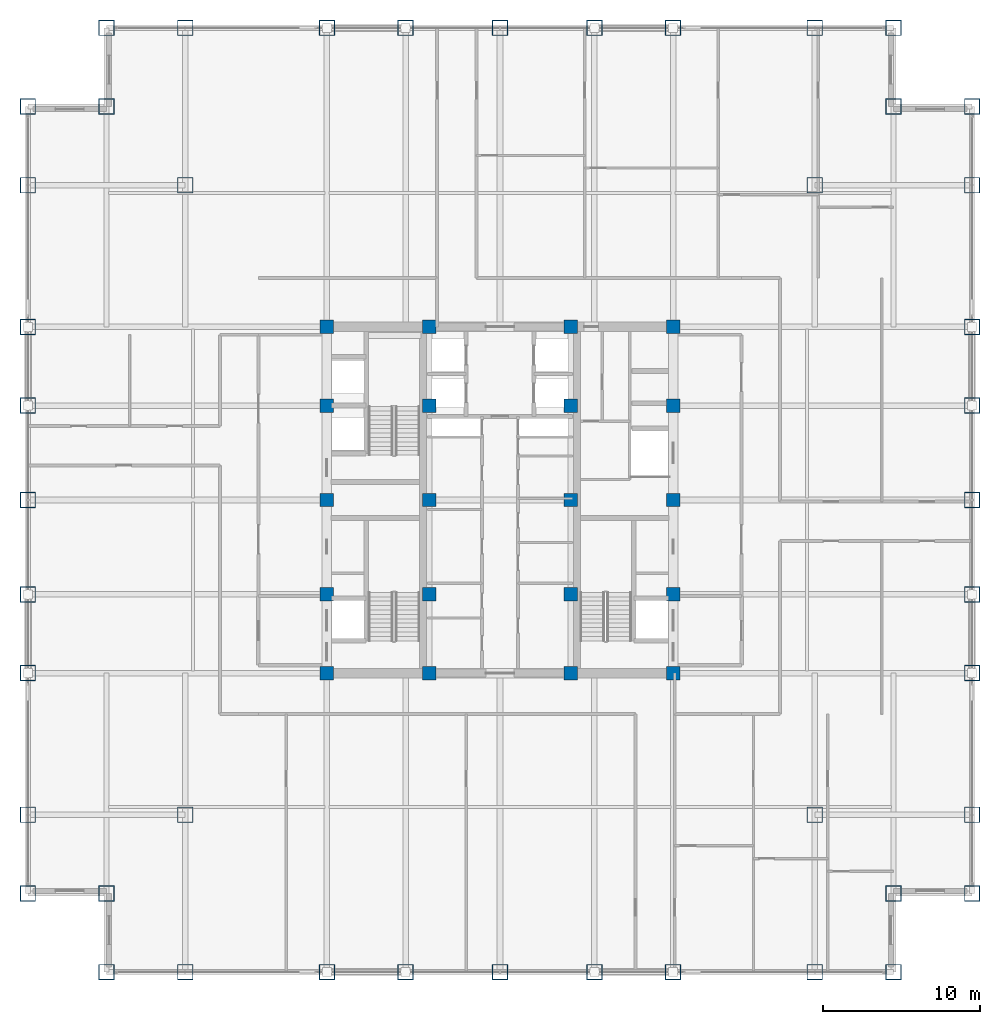
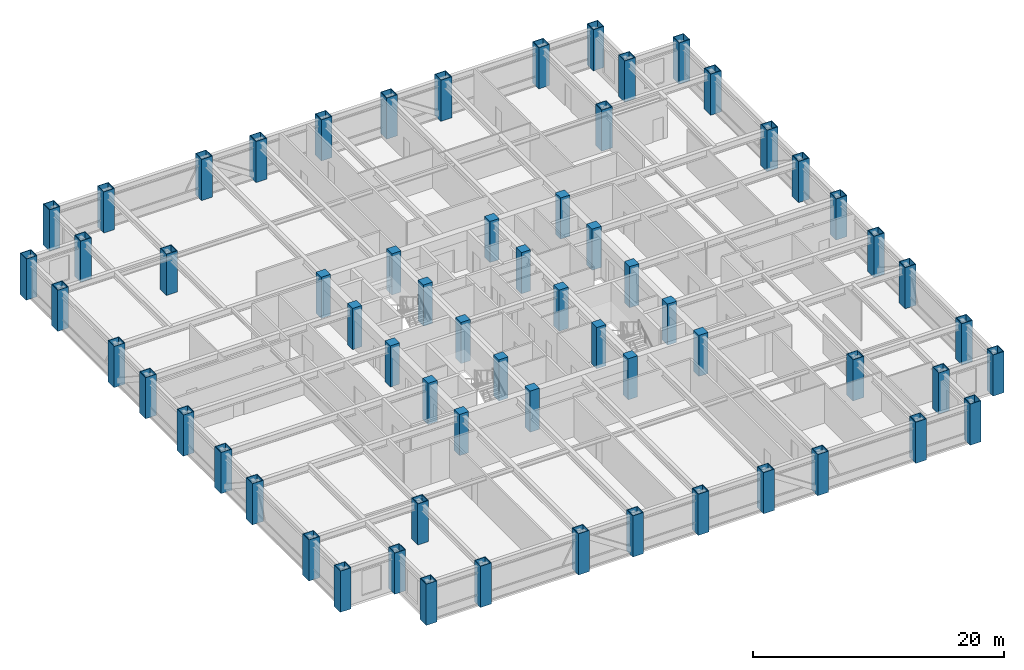
# One storey, part 1 of 25: 64 columns.
"""IFC4 building model written with IfcOpenShell, lengths in metres."""

from ifc_helpers import new_model, si_unit, direction, frame, origin, origin_2d, place, context, subcontext, project, spatial, rectangle, hollow_rectangle, extrude, source, transform, mapped, material, material_profile, profile_set, type_object, element, save


model = new_model("IFC4")

# Units and contexts
model_context = context("Model", 3, precision=1e-05, world=origin(), true_north=direction((0.0, 1.0)))
body_context = subcontext(model_context, "Body", "Model", "MODEL_VIEW")
ifc_project = project(units=[si_unit("LENGTHUNIT", "METRE"), si_unit("AREAUNIT", "SQUARE_METRE"), si_unit("VOLUMEUNIT", "CUBIC_METRE"), si_unit("PLANEANGLEUNIT", "RADIAN"), si_unit("MASSUNIT", "GRAM", prefix="KILO")], contexts=[model_context])

# Site, building, storey
site_placement = place(None, origin())
site = spatial("IfcSite", under=ifc_project, at=site_placement, CompositionType="ELEMENT")
building_placement = place(site_placement, origin())
building = spatial("IfcBuilding", under=site, at=building_placement, Name="Khorayat Bourse Tower", CompositionType="ELEMENT")
storey_placement = place(building_placement, frame((0.0, 0.0, 251.10009765625)))
storey = spatial("IfcBuildingStorey", under=building, at=storey_placement, Name="L59", CompositionType="ELEMENT", Elevation=251.10009765625)

# Columns
ifc_material_1 = material(Name="Concrete C60/75", Category="concrete")
ifc_material_profile_1 = material_profile(ifc_material_1, rectangle(XDim=0.85009765625, YDim=0.85009765625, at=origin_2d()), Name="RC 850x850")
ifc_profile_set_1 = profile_set([ifc_material_profile_1], Name="Concrete C60/75")
column_type_1 = type_object("IfcColumnType", Name="COL-CORE-850", PredefinedType="COLUMN", material=ifc_profile_set_1)
shared_shape_1 = source(origin(), body_context, "Body", "SweptSolid", [
    extrude(rectangle(XDim=0.85009765625, YDim=0.85009765625, at=origin_2d()), origin(), (0.0, 0.0, 1.0), 4.0),
])
for number, where, z_axis, x_axis, name in (
    (1, (-11.0, -11.0, 0.0), (0.0, 0.0, 1.0), (1.0, 0.0, 0.0), "L59 Column 019"),
    (2, (-11.0, -6.0, 0.0), (0.0, 0.0, 1.0), (1.0, 0.0, 0.0), "L59 Column 020"),
    (3, (-11.0, 0.0, 0.0), (0.0, 0.0, 1.0), (1.0, 0.0, 0.0), "L59 Column 021"),
    (4, (-11.0, 6.0, 0.0), (0.0, 0.0, 1.0), (1.0, 0.0, 0.0), "L59 Column 022"),
    (5, (-11.0, 11.0, 0.0), (0.0, 0.0, 1.0), (1.0, 0.0, 0.0), "L59 Column 023"),
    (6, (-4.5, -11.0, 0.0), (0.0, 0.0, 1.0), (1.0, 0.0, 0.0), "L59 Column 027"),
    (7, (-4.5, -6.0, 0.0), (0.0, 0.0, 1.0), (1.0, 0.0, 0.0), "L59 Column 028"),
    (8, (-4.5, 0.0, 0.0), (0.0, 0.0, 1.0), (1.0, 0.0, 0.0), "L59 Column 029"),
    (9, (-4.5, 6.0, 0.0), (0.0, 0.0, 1.0), (1.0, 0.0, 0.0), "L59 Column 030"),
    (10, (-4.5, 11.0, 0.0), (0.0, 0.0, 1.0), (1.0, 0.0, 0.0), "L59 Column 031"),
    (11, (4.5, -11.0, 0.0), (0.0, 0.0, 1.0), (1.0, 0.0, 0.0), "L59 Column 034"),
    (12, (4.5, -6.0, 0.0), (0.0, 0.0, 1.0), (1.0, 0.0, 0.0), "L59 Column 035"),
    (13, (4.5, 0.0, 0.0), (0.0, 0.0, 1.0), (1.0, 0.0, 0.0), "L59 Column 036"),
    (14, (4.5, 6.0, 0.0), (0.0, 0.0, 1.0), (1.0, 0.0, 0.0), "L59 Column 037"),
    (15, (4.5, 11.0, 0.0), (0.0, 0.0, 1.0), (1.0, 0.0, 0.0), "L59 Column 038"),
    (16, (11.0, -11.0, 0.0), (0.0, 0.0, 1.0), (1.0, 0.0, 0.0), "L59 Column 042"),
    (17, (11.0, -6.0, 0.0), (0.0, 0.0, 1.0), (1.0, 0.0, 0.0), "L59 Column 043"),
    (18, (11.0, 0.0, 0.0), (0.0, 0.0, 1.0), (1.0, 0.0, 0.0), "L59 Column 044"),
    (19, (11.0, 6.0, 0.0), (0.0, 0.0, 1.0), (1.0, 0.0, 0.0), "L59 Column 045"),
    (20, (11.0, 11.0, 0.0), (0.0, 0.0, 1.0), (1.0, 0.0, 0.0), "L59 Column 046"),
):
    element("IfcColumn", number, at=place(storey_placement, frame(where, z_axis=z_axis, x_axis=x_axis)), inside=storey, type_object=column_type_1, Name=name, PredefinedType="COLUMN", context=body_context, shape_type="MappedRepresentation", body=[
        mapped(shared_shape_1, transform((0.0, 0.0, 0.0), scale=1.0)),
    ])
ifc_material_2 = material(Name="Steel EN 10025-4 S460M", Category="steel")
ifc_material_profile_2 = material_profile(ifc_material_2, hollow_rectangle(XDim=1.0, YDim=1.0, WallThickness=0.054931640625, at=origin_2d()), Name="BOX 1000x1000x55")
ifc_profile_set_2 = profile_set([ifc_material_profile_2], Name="Steel EN 10025-4 S460M")
column_type_2 = type_object("IfcColumnType", Name="COL-TUBE-1000", PredefinedType="COLUMN", material=ifc_profile_set_2)
shared_shape_2 = source(origin(), body_context, "Body", "SweptSolid", [
    extrude(hollow_rectangle(XDim=1.0, YDim=1.0, WallThickness=0.054931640625, at=origin_2d()), origin(), (0.0, 0.0, 1.0), 4.0),
])
for number, where, z_axis, x_axis, name in (
    (21, (-30.0, -25.0, 0.0), (0.0, 0.0, 1.0), (1.0, 0.0, 0.0), "L59 Column 001"),
    (22, (-30.0, -20.0, 0.0), (0.0, 0.0, 1.0), (1.0, 0.0, 0.0), "L59 Column 002"),
    (23, (-30.0, -11.0, 0.0), (0.0, 0.0, 1.0), (1.0, 0.0, 0.0), "L59 Column 003"),
    (24, (-30.0, -6.0, 0.0), (0.0, 0.0, 1.0), (1.0, 0.0, 0.0), "L59 Column 004"),
    (25, (-30.0, 0.0, 0.0), (0.0, 0.0, 1.0), (1.0, 0.0, 0.0), "L59 Column 005"),
    (26, (-30.0, 6.0, 0.0), (0.0, 0.0, 1.0), (1.0, 0.0, 0.0), "L59 Column 006"),
    (27, (-30.0, 11.0, 0.0), (0.0, 0.0, 1.0), (1.0, 0.0, 0.0), "L59 Column 007"),
    (28, (-30.0, 20.0, 0.0), (0.0, 0.0, 1.0), (1.0, 0.0, 0.0), "L59 Column 008"),
    (29, (-30.0, 25.0, 0.0), (0.0, 0.0, 1.0), (1.0, 0.0, 0.0), "L59 Column 009"),
    (30, (-25.0, -30.0, 0.0), (0.0, 0.0, 1.0), (1.0, 0.0, 0.0), "L59 Column 010"),
    (31, (-25.0, -25.0, 0.0), (0.0, 0.0, 1.0), (1.0, 0.0, 0.0), "L59 Column 011"),
    (32, (-25.0, 25.0, 0.0), (0.0, 0.0, 1.0), (1.0, 0.0, 0.0), "L59 Column 012"),
    (33, (-25.0, 30.0, 0.0), (0.0, 0.0, 1.0), (1.0, 0.0, 0.0), "L59 Column 013"),
    (34, (-20.0, -30.0, 0.0), (0.0, 0.0, 1.0), (1.0, 0.0, 0.0), "L59 Column 014"),
    (35, (-20.0, -20.0, 0.0), (0.0, 0.0, 1.0), (1.0, 0.0, 0.0), "L59 Column 015"),
    (36, (-20.0, 20.0, 0.0), (0.0, 0.0, 1.0), (1.0, 0.0, 0.0), "L59 Column 016"),
    (37, (-20.0, 30.0, 0.0), (0.0, 0.0, 1.0), (1.0, 0.0, 0.0), "L59 Column 017"),
    (38, (-11.0, -30.0, 0.0), (0.0, 0.0, 1.0), (1.0, 0.0, 0.0), "L59 Column 018"),
    (39, (-11.0, 30.0, 0.0), (0.0, 0.0, 1.0), (1.0, 0.0, 0.0), "L59 Column 024"),
    (40, (-6.0, -30.0, 0.0), (0.0, 0.0, 1.0), (1.0, 0.0, 0.0), "L59 Column 025"),
    (41, (-6.0, 30.0, 0.0), (0.0, 0.0, 1.0), (1.0, 0.0, 0.0), "L59 Column 026"),
    (42, (0.0, -30.0, 0.0), (0.0, 0.0, 1.0), (1.0, 0.0, 0.0), "L59 Column 032"),
    (43, (0.0, 30.0, 0.0), (0.0, 0.0, 1.0), (1.0, 0.0, 0.0), "L59 Column 033"),
    (44, (6.0, -30.0, 0.0), (0.0, 0.0, 1.0), (1.0, 0.0, 0.0), "L59 Column 039"),
    (45, (6.0, 30.0, 0.0), (0.0, 0.0, 1.0), (1.0, 0.0, 0.0), "L59 Column 040"),
    (46, (11.0, -30.0, 0.0), (0.0, 0.0, 1.0), (1.0, 0.0, 0.0), "L59 Column 041"),
    (47, (11.0, 30.0, 0.0), (0.0, 0.0, 1.0), (1.0, 0.0, 0.0), "L59 Column 047"),
    (48, (20.0, -30.0, 0.0), (0.0, 0.0, 1.0), (1.0, 0.0, 0.0), "L59 Column 048"),
    (49, (20.0, -20.0, 0.0), (0.0, 0.0, 1.0), (1.0, 0.0, 0.0), "L59 Column 049"),
    (50, (20.0, 20.0, 0.0), (0.0, 0.0, 1.0), (1.0, 0.0, 0.0), "L59 Column 050"),
    (51, (20.0, 30.0, 0.0), (0.0, 0.0, 1.0), (1.0, 0.0, 0.0), "L59 Column 051"),
    (52, (25.0, -30.0, 0.0), (0.0, 0.0, 1.0), (1.0, 0.0, 0.0), "L59 Column 052"),
    (53, (25.0, -25.0, 0.0), (0.0, 0.0, 1.0), (1.0, 0.0, 0.0), "L59 Column 053"),
    (54, (25.0, 25.0, 0.0), (0.0, 0.0, 1.0), (1.0, 0.0, 0.0), "L59 Column 054"),
    (55, (25.0, 30.0, 0.0), (0.0, 0.0, 1.0), (1.0, 0.0, 0.0), "L59 Column 055"),
    (56, (30.0, -25.0, 0.0), (0.0, 0.0, 1.0), (1.0, 0.0, 0.0), "L59 Column 056"),
    (57, (30.0, -20.0, 0.0), (0.0, 0.0, 1.0), (1.0, 0.0, 0.0), "L59 Column 057"),
    (58, (30.0, -11.0, 0.0), (0.0, 0.0, 1.0), (1.0, 0.0, 0.0), "L59 Column 058"),
    (59, (30.0, -6.0, 0.0), (0.0, 0.0, 1.0), (1.0, 0.0, 0.0), "L59 Column 059"),
    (60, (30.0, 0.0, 0.0), (0.0, 0.0, 1.0), (1.0, 0.0, 0.0), "L59 Column 060"),
    (61, (30.0, 6.0, 0.0), (0.0, 0.0, 1.0), (1.0, 0.0, 0.0), "L59 Column 061"),
    (62, (30.0, 11.0, 0.0), (0.0, 0.0, 1.0), (1.0, 0.0, 0.0), "L59 Column 062"),
    (63, (30.0, 20.0, 0.0), (0.0, 0.0, 1.0), (1.0, 0.0, 0.0), "L59 Column 063"),
    (64, (30.0, 25.0, 0.0), (0.0, 0.0, 1.0), (1.0, 0.0, 0.0), "L59 Column 064"),
):
    element("IfcColumn", number, at=place(storey_placement, frame(where, z_axis=z_axis, x_axis=x_axis)), inside=storey, type_object=column_type_2, Name=name, PredefinedType="COLUMN", context=body_context, shape_type="MappedRepresentation", body=[
        mapped(shared_shape_2, transform((0.0, 0.0, 0.0), scale=1.0)),
    ])

save(model, "model.ifc")
